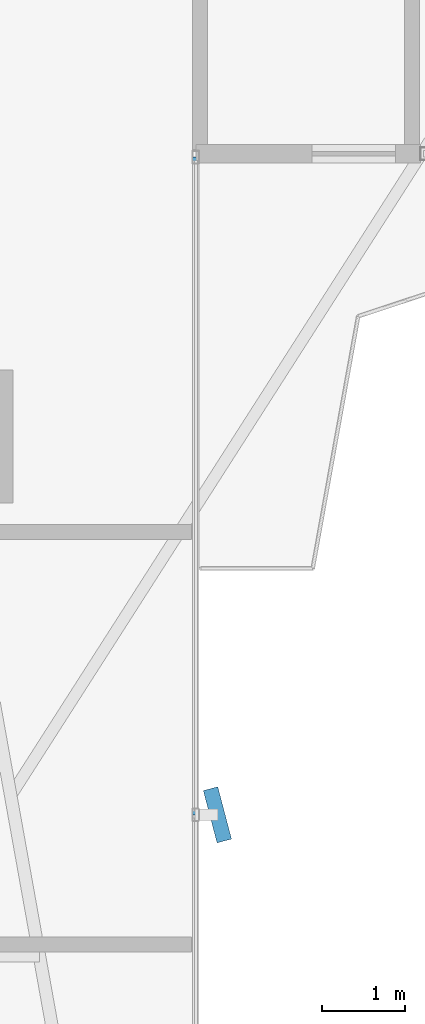
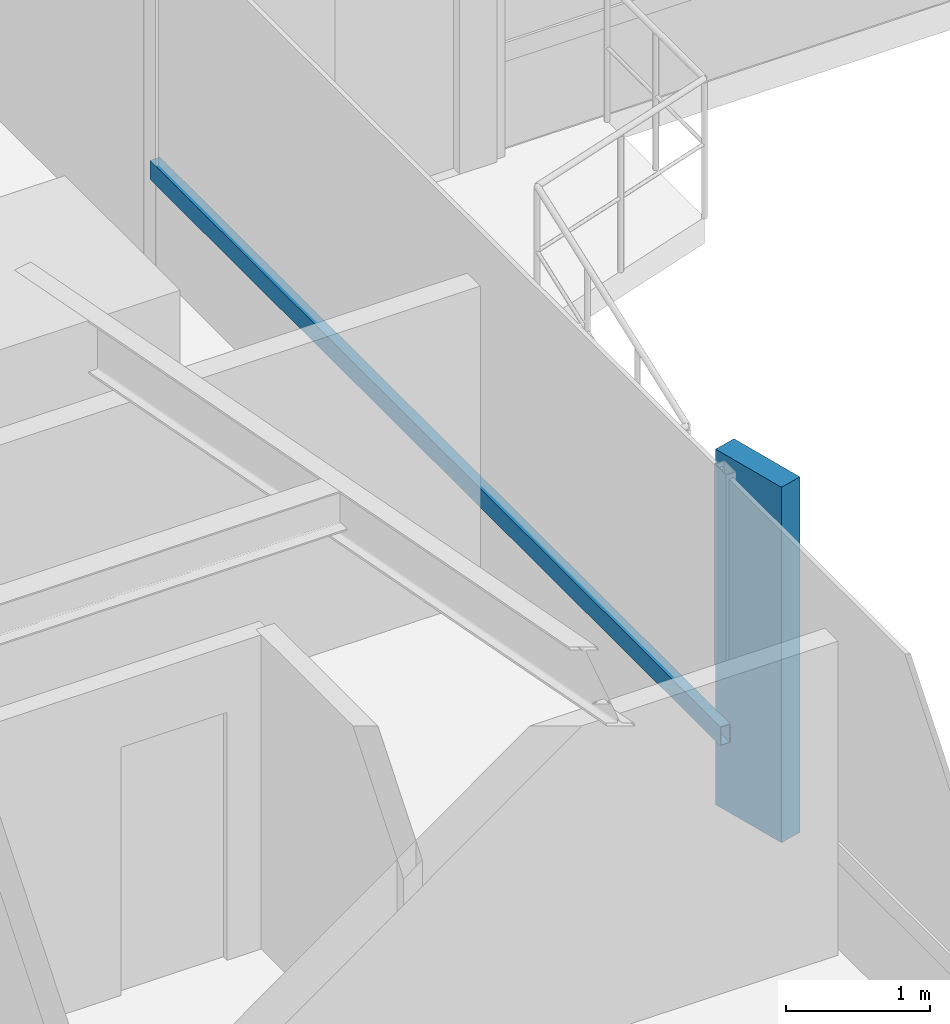
# One storey, part 5 of 26: 2 members, 1 element without a shape of its own.
"""IFC4 building model written with IfcOpenShell, lengths in metres."""

from ifc_helpers import new_model, si_unit, direction, frame, origin, origin_2d, place, context, subcontext, project, spatial, rectangle, hollow_rectangle, extrude, source, transform, mapped, material, material_profile, profile_set, type_object, element, aggregate, save


model = new_model("IFC4")

# Units and contexts
model_context = context("Model", 3, precision=1e-05, world=origin(), true_north=direction((0.0, 1.0)))
body_context = subcontext(model_context, "Body", "Model", "MODEL_VIEW")
ifc_project = project(units=[si_unit("LENGTHUNIT", "METRE"), si_unit("AREAUNIT", "SQUARE_METRE"), si_unit("VOLUMEUNIT", "CUBIC_METRE"), si_unit("PLANEANGLEUNIT", "RADIAN"), si_unit("MASSUNIT", "GRAM", prefix="KILO")], contexts=[model_context])

# Site, building, storey
site_placement = place(None, origin())
site = spatial("IfcSite", under=ifc_project, at=site_placement, CompositionType="ELEMENT")
building_placement = place(site_placement, origin())
building = spatial("IfcBuilding", under=site, at=building_placement, Name="Sahyath Konkavel Grand Hotel", CompositionType="ELEMENT")
storey_placement = place(building_placement, frame((0.0, 0.0, 61.10009765625)))
storey = spatial("IfcBuildingStorey", under=building, at=storey_placement, Name="L16", CompositionType="ELEMENT", Elevation=61.10009765625)

# Curtain wall, members
ifc_material_1 = material(Name="Anodised Bronze Aluminium & Low-E Glazing", Category="aluminium")
curtain_wall_type = type_object("IfcCurtainWallType", Name="CW-ZONE1", PredefinedType="NOTDEFINED", material=ifc_material_1)
curtain_wall_placement = place(storey_placement, origin())
curtain_wall = element("IfcCurtainWall", 1, at=curtain_wall_placement, inside=storey, type_object=curtain_wall_type, Name="L16 Unitised Curtain Wall F31", PredefinedType="NOTDEFINED")
ifc_material_2 = material(Name="Warm Buff Sandstone Cladding on Concrete C50/60", Category="masonry")
ifc_material_profile_1 = material_profile(ifc_material_2, rectangle(XDim=0.179931640625, YDim=0.64990234375, at=origin_2d()), Name="FIN 180x650")
ifc_profile_set_1 = profile_set([ifc_material_profile_1], Name="Warm Buff Sandstone Cladding on Concrete C50/60")
member_type_1 = type_object("IfcMemberType", Name="FIN-SANDSTONE-650", PredefinedType="MULLION", material=ifc_profile_set_1)
shared_shape_1 = source(origin(), body_context, "Body", "SweptSolid", [
    extrude(rectangle(XDim=0.179931640625, YDim=0.64990234375, at=origin_2d()), origin(), (0.0, 0.0, 1.0), 3.010009765625),
])
member_1_placement = place(storey_placement, frame((7.06005859375, -14.75, 0.0498046875), z_axis=(0.0, 0.0, 1.0), x_axis=(0.967134752842, 0.254264369988, 0.0)))
member_1 = element("IfcMember", 2, at=member_1_placement, type_object=member_type_1, Name="L16 Sandstone Vertical Solar Fin FIN F31-1", PredefinedType="MULLION", context=body_context, shape_type="MappedRepresentation", body=[
    mapped(shared_shape_1, transform((0.0, 0.0, 0.0), scale=1.0)),
])
ifc_material_3 = material(Name="Anodised Bronze Aluminium", Category="aluminium")
ifc_material_profile_2 = material_profile(ifc_material_3, hollow_rectangle(XDim=0.080078125, YDim=0.159912109375, WallThickness=0.006103515625, at=origin_2d()), Name="RHS 160x80x6")
ifc_profile_set_2 = profile_set([ifc_material_profile_2], Name="Anodised Bronze Aluminium")
member_type_2 = type_object("IfcMemberType", Name="CW-TRN-160", PredefinedType="USERDEFINED", material=ifc_profile_set_2)
shared_shape_2 = source(origin(), body_context, "Body", "SweptSolid", [
    extrude(hollow_rectangle(XDim=0.080078125, YDim=0.159912109375, WallThickness=0.006103515625, at=origin_2d()), origin(), (0.0, 0.0, 1.0), 7.909912109375),
])
member_2_placement = place(storey_placement, frame((6.800048828125, -14.75, 0.849853515625), z_axis=(0.0, 1.0, 0.0), x_axis=(-1.0, 0.0, 0.0)))
member_2 = element("IfcMember", 3, at=member_2_placement, type_object=member_type_2, Name="L16 Curtain Wall Transom F31-1-spandrel", ObjectType="TRANSOM", PredefinedType="USERDEFINED", context=body_context, shape_type="MappedRepresentation", body=[
    mapped(shared_shape_2, transform((0.0, 0.0, 0.0), scale=1.0)),
])
aggregate(curtain_wall, [member_1, member_2])

save(model, "model.ifc")
